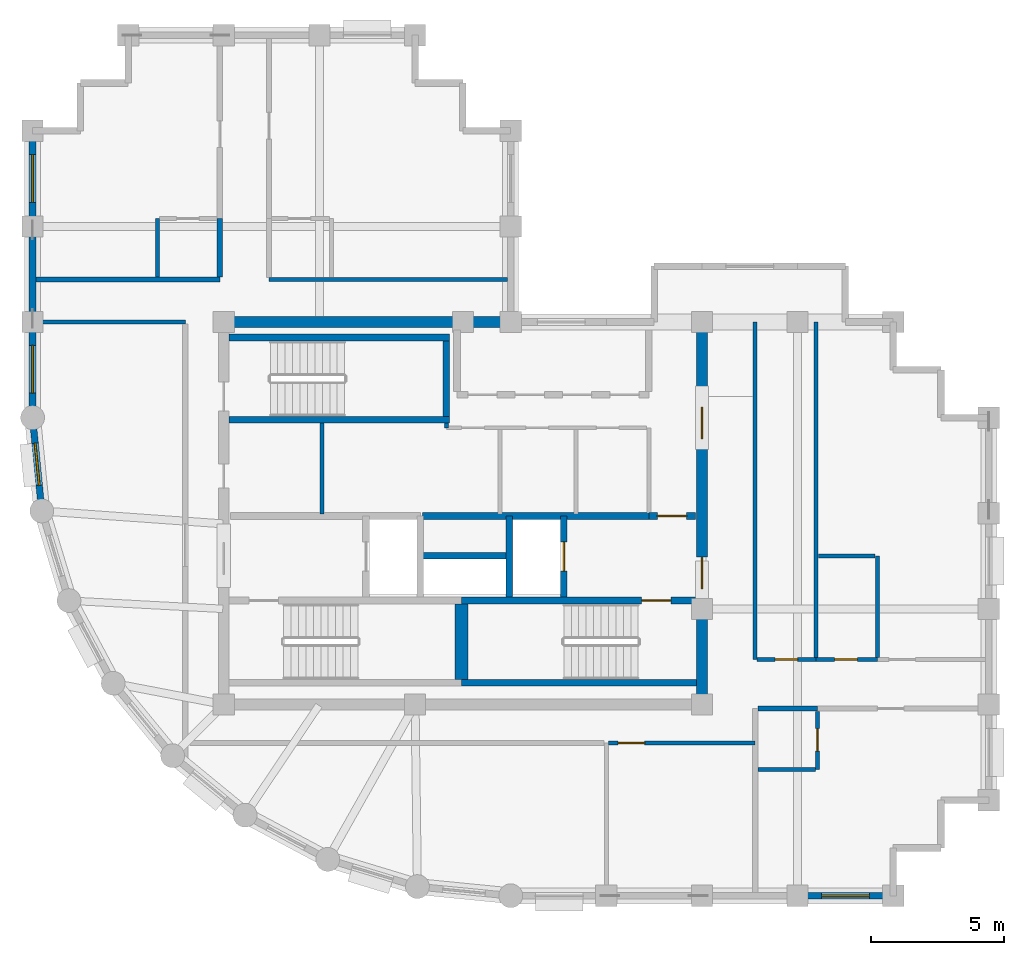
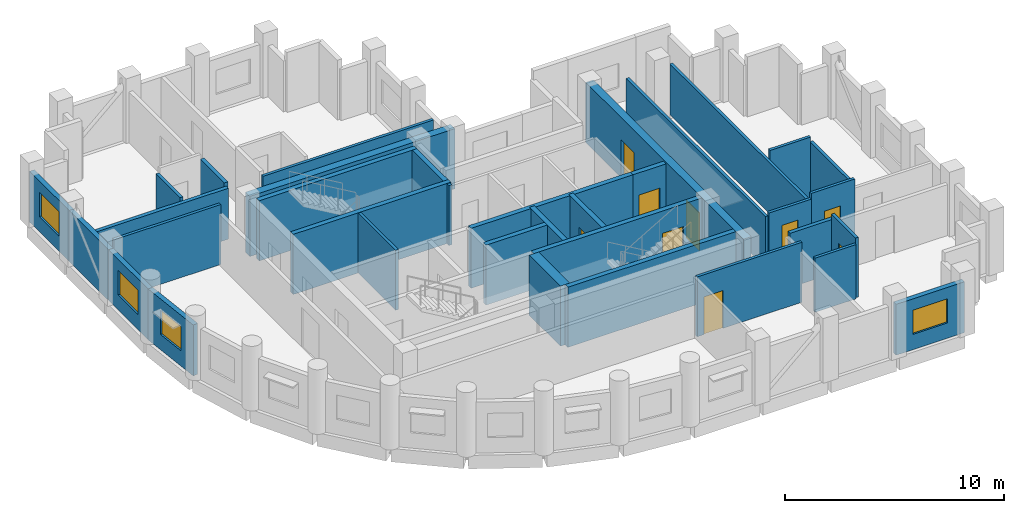
# One storey, part 3 of 7: 35 walls, 9 doors, 4 windows, 13 openings.
"""IFC4 building model written with IfcOpenShell, lengths in metres."""

from ifc_helpers import new_model, si_unit, direction, frame, frame_2d, origin, place, context, subcontext, project, spatial, rectangle, extrude, material, layer, layer_set, type_object, element, fill, save


model = new_model("IFC4")

# Units and contexts
model_context = context("Model", 3, precision=1e-05, world=origin(), true_north=direction((0.0, 1.0)))
body_context = subcontext(model_context, "Body", "Model", "MODEL_VIEW")
ifc_project = project(units=[si_unit("LENGTHUNIT", "METRE"), si_unit("AREAUNIT", "SQUARE_METRE"), si_unit("VOLUMEUNIT", "CUBIC_METRE"), si_unit("PLANEANGLEUNIT", "RADIAN"), si_unit("MASSUNIT", "GRAM", prefix="KILO")], contexts=[model_context])

# Site, building, storey
site_placement = place(None, origin())
site = spatial("IfcSite", under=ifc_project, at=site_placement, CompositionType="ELEMENT")
building_placement = place(site_placement, origin())
building = spatial("IfcBuilding", under=site, at=building_placement, Name="Solnavia Interchange Tower", CompositionType="ELEMENT")
storey_placement = place(building_placement, frame((0.0, 0.0, 288.199951171875)))
storey = spatial("IfcBuildingStorey", under=building, at=storey_placement, Name="L73", CompositionType="ELEMENT", Elevation=288.199951171875)

# Walls
ifc_material_1 = material(Name="Gypsum Acoustic Twin-Stud & Mineral Wool", Category="gypsum")
ifc_layer_1 = layer(ifc_material_1, 0.199951171875)
ifc_layer_set_1 = layer_set([ifc_layer_1], Name="Gypsum Acoustic Twin-Stud & Mineral Wool")
wall_type_1 = type_object("IfcWallType", Name="Wall-ApartmentParty-200", PredefinedType="PARTITIONING", material=ifc_layer_set_1)
wall_1_placement = place(storey_placement, frame((34.50390625, 10.64990234375, 0.0), z_axis=(0.0, 0.0, 1.0), x_axis=(1.0, 0.0, 0.0)))
element("IfcWall", 1, at=wall_1_placement, inside=storey, type_object=wall_type_1, Name="PTW-L73-13 Interior partition wall", PredefinedType="PARTITIONING", context=body_context, shape_type="SweptSolid", body=[
    extrude(rectangle(XDim=2.24609375, YDim=0.199951171875, at=frame_2d((1.123046875, 0.0))), origin(), (0.0, 0.0, 1.0), 3.02001953125),
])
wall_2_placement = place(storey_placement, frame((7.3291015625, 26.800048828125, 0.0), z_axis=(0.0, 0.0, 1.0), x_axis=(1.0, 0.0, 0.0)))
element("IfcWall", 2, at=wall_2_placement, inside=storey, type_object=wall_type_1, Name="PTW-L73-18 Interior partition wall", PredefinedType="PARTITIONING", context=body_context, shape_type="SweptSolid", body=[
    extrude(rectangle(XDim=6.9208984375, YDim=0.199951171875, at=frame_2d((3.46044921875, 0.0))), origin(), (0.0, 0.0, 1.0), 2.830078125),
])
wall_3_placement = place(storey_placement, frame((14.25, 26.904052734375, 0.0), z_axis=(0.0, 0.0, 1.0), x_axis=(0.0, 1.0, 0.0)))
element("IfcWall", 3, at=wall_3_placement, inside=storey, type_object=wall_type_1, Name="PTW-L73-19 Interior partition wall", PredefinedType="PARTITIONING", context=body_context, shape_type="SweptSolid", body=[
    extrude(rectangle(XDim=2.196044921875, YDim=0.199951171875, at=frame_2d((1.09814453125, 0.0))), origin(), (0.0, 0.0, 1.0), 3.030029296875),
])

# Wall, opening, window
ifc_material_2 = material(Name="Concrete C40/50", Category="concrete")
ifc_layer_2 = layer(ifc_material_2, 0.25)
ifc_layer_set_2 = layer_set([ifc_layer_2], Name="Concrete C40/50")
wall_type_2 = type_object("IfcWallType", Name="Wall-ExtSpandrel-250", PredefinedType="STANDARD", material=ifc_layer_set_2)
wall_4_placement = place(storey_placement, frame((39.60009765625, 3.60009765625, 0.0), z_axis=(0.0, 0.0, 1.0), x_axis=(-1.0, 0.0, 0.0)))
wall_4 = element("IfcWall", 4, at=wall_4_placement, inside=storey, type_object=wall_type_2, Name="EXW-L73-04 Exterior precast spandrel wall", PredefinedType="STANDARD", context=body_context, shape_type="SweptSolid", body=[
    extrude(rectangle(XDim=3.60009765625, YDim=0.25, at=frame_2d((1.800048828125, 0.0))), origin(), (0.0, 0.0, 1.0), 2.830078125),
])
opening_1_placement = place(wall_4_placement, frame((0.89990234375, 0.0, 0.85009765625)))
opening_1 = element("IfcOpeningElement", 5, at=opening_1_placement, cuts=wall_4, Name="Opening WIN-02", PredefinedType="OPENING", context=body_context, shape_type="SweptSolid", body=[
    extrude(rectangle(XDim=1.800048828125, YDim=1.35009765625, at=frame_2d((0.89990234375, 0.675048828125))), frame((0.0, 0.135009765625, 0.0), z_axis=(0.0, -1.0, 0.0), x_axis=(1.0, 0.0, 0.0)), (0.0, 0.0, 1.0), 0.27001953125),
])
ifc_material_3 = material(Name="Thermal-Break Aluminium & Low-E Glass", Category="aluminium")
window_type_1 = type_object("IfcWindowType", Name="Window-Ribbon-1800x1350", PartitioningType="SINGLE_PANEL", PredefinedType="WINDOW", material=ifc_material_3)
window_1_placement = place(opening_1_placement, origin())
window_1 = element("IfcWindow", 6, at=window_1_placement, inside=storey, type_object=window_type_1, Name="WIN-L73-04 Facade ribbon window", OverallHeight=1.35009765625, OverallWidth=1.800048828125, PartitioningType="SINGLE_PANEL", PredefinedType="WINDOW", context=body_context, shape_type="SweptSolid", body=[
    extrude(rectangle(XDim=1.800048828125, YDim=1.35009765625, at=frame_2d((0.89990234375, 0.675048828125))), frame((0.0, 0.030029296875, 0.0), z_axis=(0.0, -1.0, 0.0), x_axis=(1.0, 0.0, 0.0)), (0.0, 0.0, 1.0), 0.06005859375),
])
fill(opening_1, window_1)

wall_5_placement = place(storey_placement, frame((7.199951171875, 28.800048828125, 0.0), z_axis=(0.0, 0.0, 1.0), x_axis=(0.0, 1.0, 0.0)))
wall_5 = element("IfcWall", 7, at=wall_5_placement, inside=storey, type_object=wall_type_2, Name="EXW-L73-38 Exterior precast spandrel wall", PredefinedType="STANDARD", context=body_context, shape_type="SweptSolid", body=[
    extrude(rectangle(XDim=3.599853515625, YDim=0.25, at=frame_2d((1.7998046875, 0.0))), origin(), (0.0, 0.0, 1.0), 2.830078125),
])
opening_2_placement = place(wall_5_placement, frame((0.89990234375, 0.0, 0.85009765625)))
opening_2 = element("IfcOpeningElement", 8, at=opening_2_placement, cuts=wall_5, Name="Opening WIN-02", PredefinedType="OPENING", context=body_context, shape_type="SweptSolid", body=[
    extrude(rectangle(XDim=1.800048828125, YDim=1.35009765625, at=frame_2d((0.89990234375, 0.675048828125))), frame((0.0, 0.135009765625, 0.0), z_axis=(0.0, -1.0, 0.0), x_axis=(1.0, 0.0, 0.0)), (0.0, 0.0, 1.0), 0.27001953125),
])
window_2_placement = place(opening_2_placement, origin())
window_2 = element("IfcWindow", 9, at=window_2_placement, inside=storey, type_object=window_type_1, Name="WIN-L73-38 Facade ribbon window", OverallHeight=1.35009765625, OverallWidth=1.800048828125, PartitioningType="SINGLE_PANEL", PredefinedType="WINDOW", context=body_context, shape_type="SweptSolid", body=[
    extrude(rectangle(XDim=1.800048828125, YDim=1.35009765625, at=frame_2d((0.89990234375, 0.675048828125))), frame((0.0, 0.030029296875, 0.0), z_axis=(0.0, -1.0, 0.0), x_axis=(1.0, 0.0, 0.0)), (0.0, 0.0, 1.0), 0.06005859375),
])
fill(opening_2, window_2)

# Wall
wall_6_placement = place(storey_placement, frame((7.199951171875, 25.199951171875, 0.0), z_axis=(0.0, 0.0, 1.0), x_axis=(0.0, 1.0, 0.0)))
element("IfcWall", 10, at=wall_6_placement, inside=storey, type_object=wall_type_2, Name="EXW-L73-39 Exterior precast spandrel wall", PredefinedType="STANDARD", context=body_context, shape_type="SweptSolid", body=[
    extrude(rectangle(XDim=3.60009765625, YDim=0.25, at=frame_2d((1.800048828125, 0.0))), origin(), (0.0, 0.0, 1.0), 2.830078125),
])

# Wall, opening, window
wall_7_placement = place(storey_placement, frame((7.199951171875, 21.60009765625, 0.0), z_axis=(0.0, 0.0, 1.0), x_axis=(0.0, 1.0, 0.0)))
wall_7 = element("IfcWall", 11, at=wall_7_placement, inside=storey, type_object=wall_type_2, Name="EXW-L73-40 Exterior precast spandrel wall", PredefinedType="STANDARD", context=body_context, shape_type="SweptSolid", body=[
    extrude(rectangle(XDim=3.599853515625, YDim=0.25, at=frame_2d((1.7998046875, 0.0))), origin(), (0.0, 0.0, 1.0), 2.830078125),
])
opening_3_placement = place(wall_7_placement, frame((0.925048828125, 0.0, 0.85009765625)))
opening_3 = element("IfcOpeningElement", 12, at=opening_3_placement, cuts=wall_7, Name="Opening WIN-02", PredefinedType="OPENING", context=body_context, shape_type="SweptSolid", body=[
    extrude(rectangle(XDim=1.800048828125, YDim=1.35009765625, at=frame_2d((0.89990234375, 0.675048828125))), frame((0.0, 0.135009765625, 0.0), z_axis=(0.0, -1.0, 0.0), x_axis=(1.0, 0.0, 0.0)), (0.0, 0.0, 1.0), 0.27001953125),
])
window_3_placement = place(opening_3_placement, origin())
window_3 = element("IfcWindow", 13, at=window_3_placement, inside=storey, type_object=window_type_1, Name="WIN-L73-40 Facade ribbon window", OverallHeight=1.35009765625, OverallWidth=1.800048828125, PartitioningType="SINGLE_PANEL", PredefinedType="WINDOW", context=body_context, shape_type="SweptSolid", body=[
    extrude(rectangle(XDim=1.800048828125, YDim=1.35009765625, at=frame_2d((0.89990234375, 0.675048828125))), frame((0.0, 0.030029296875, 0.0), z_axis=(0.0, -1.0, 0.0), x_axis=(1.0, 0.0, 0.0)), (0.0, 0.0, 1.0), 0.06005859375),
])
fill(opening_3, window_3)

wall_8_placement = place(storey_placement, frame((7.5458984375, 18.087890625, 0.0), z_axis=(0.0, 0.0, 1.0), x_axis=(-0.09802417461, 0.995184033831, 0.0)))
wall_8 = element("IfcWall", 14, at=wall_8_placement, inside=storey, type_object=wall_type_2, Name="EXW-L73-41 Exterior precast spandrel wall", PredefinedType="STANDARD", context=body_context, shape_type="SweptSolid", body=[
    extrude(rectangle(XDim=3.529296875, YDim=0.25, at=frame_2d((1.7646484375, 0.0))), origin(), (0.0, 0.0, 1.0), 2.830078125),
])
opening_4_placement = place(wall_8_placement, frame((0.965087890625, 0.0, 0.85009765625)))
opening_4 = element("IfcOpeningElement", 15, at=opening_4_placement, cuts=wall_8, Name="Opening WIN-04", PredefinedType="OPENING", context=body_context, shape_type="SweptSolid", body=[
    extrude(rectangle(XDim=1.60009765625, YDim=1.35009765625, at=frame_2d((0.800048828125, 0.675048828125))), frame((0.0, 0.135009765625, 0.0), z_axis=(0.0, -1.0, 0.0), x_axis=(1.0, 0.0, 0.0)), (0.0, 0.0, 1.0), 0.27001953125),
])
window_type_2 = type_object("IfcWindowType", Name="Window-Drum-1600x1350", PartitioningType="SINGLE_PANEL", PredefinedType="WINDOW", material=ifc_material_3)
window_4_placement = place(opening_4_placement, origin())
window_4 = element("IfcWindow", 16, at=window_4_placement, inside=storey, type_object=window_type_2, Name="WIN-L73-41 Facade ribbon window", OverallHeight=1.35009765625, OverallWidth=1.60009765625, PartitioningType="SINGLE_PANEL", PredefinedType="WINDOW", context=body_context, shape_type="SweptSolid", body=[
    extrude(rectangle(XDim=1.60009765625, YDim=1.35009765625, at=frame_2d((0.800048828125, 0.675048828125))), frame((0.0, 0.030029296875, 0.0), z_axis=(0.0, -1.0, 0.0), x_axis=(1.0, 0.0, 0.0)), (0.0, 0.0, 1.0), 0.06005859375),
])
fill(opening_4, window_4)

# Walls
ifc_material_4 = material(Name="Gypsum Plasterboard & Steel Stud", Category="steel")
ifc_layer_3 = layer(ifc_material_4, 0.14990234375)
ifc_layer_set_3 = layer_set([ifc_layer_3], Name="Gypsum Plasterboard & Steel Stud")
wall_type_3 = type_object("IfcWallType", Name="Wall-Partition-150", PredefinedType="PARTITIONING", material=ifc_layer_set_3)
wall_9_placement = place(storey_placement, frame((22.77490234375, 21.219970703125, 0.0), z_axis=(0.0, 0.0, 1.0), x_axis=(0.0, 1.0, 0.0)))
element("IfcWall", 17, at=wall_9_placement, inside=storey, type_object=wall_type_3, Name="CSW-L73-ST-TIE Core shaft wall", PredefinedType="PARTITIONING", context=body_context, shape_type="SweptSolid", body=[
    extrude(rectangle(XDim=0.175048828125, YDim=0.14990234375, at=frame_2d((0.08740234375, 0.0))), origin(), (0.0, 0.0, 1.0), 3.3349609375),
])
wall_10_placement = place(storey_placement, frame((18.10009765625, 17.97998046875, 0.0), z_axis=(0.0, 0.0, 1.0), x_axis=(0.0, 1.0, 0.0)))
element("IfcWall", 18, at=wall_10_placement, inside=storey, type_object=wall_type_3, Name="CSW-L73-M1 Core shaft wall", PredefinedType="PARTITIONING", context=body_context, shape_type="SweptSolid", body=[
    extrude(rectangle(XDim=3.419921875, YDim=0.14990234375, at=frame_2d((1.7099609375, 0.0))), origin(), (0.0, 0.0, 1.0), 3.3349609375),
])
wall_11_placement = place(storey_placement, frame((7.3291015625, 25.199951171875, 0.0), z_axis=(0.0, 0.0, 1.0), x_axis=(1.0, 0.0, 0.0)))
element("IfcWall", 19, at=wall_11_placement, inside=storey, type_object=wall_type_3, Name="PTW-L73-07 Interior partition wall", PredefinedType="PARTITIONING", context=body_context, shape_type="SweptSolid", body=[
    extrude(rectangle(XDim=5.620849609375, YDim=0.14990234375, at=frame_2d((2.810546875, 0.0))), origin(), (0.0, 0.0, 1.0), 3.3349609375),
])

# Wall, opening, door
wall_12_placement = place(storey_placement, frame((28.87890625, 9.35009765625, 0.0), z_axis=(0.0, 0.0, 1.0), x_axis=(1.0, 0.0, 0.0)))
wall_12 = element("IfcWall", 20, at=wall_12_placement, inside=storey, type_object=wall_type_3, Name="PTW-L73-11 Interior partition wall", PredefinedType="PARTITIONING", context=body_context, shape_type="SweptSolid", body=[
    extrude(rectangle(XDim=5.52099609375, YDim=0.14990234375, at=frame_2d((2.760498046875, 0.0))), origin(), (0.0, 0.0, 1.0), 3.3349609375),
])
opening_5_placement = place(wall_12_placement, frame((0.360107421875, 0.0, 0.0)))
opening_5 = element("IfcOpeningElement", 21, at=opening_5_placement, cuts=wall_12, Name="Opening DR-07", PredefinedType="OPENING", context=body_context, shape_type="SweptSolid", body=[
    extrude(rectangle(XDim=1.0, YDim=2.10009765625, at=frame_2d((0.5, 1.050048828125))), frame((0.0, 0.0849609375, 0.0), z_axis=(0.0, -1.0, 0.0), x_axis=(1.0, 0.0, 0.0)), (0.0, 0.0, 1.0), 0.169921875),
])
ifc_material_5 = material(Name="Timber & Acoustic Glazed Office Door", Category="wood")
door_type_1 = type_object("IfcDoorType", Name="Door-Office-1000x2100", OperationType="SINGLE_SWING_RIGHT", PredefinedType="DOOR", material=ifc_material_5)
door_1_placement = place(opening_5_placement, origin())
door_1 = element("IfcDoor", 22, at=door_1_placement, inside=storey, type_object=door_type_1, Name="DR-L73-04 Interior room door", OperationType="SINGLE_SWING_LEFT", OverallHeight=2.10009765625, OverallWidth=1.0, PredefinedType="DOOR", context=body_context, shape_type="SweptSolid", body=[
    extrude(rectangle(XDim=1.0, YDim=2.10009765625, at=frame_2d((0.5, 1.050048828125))), frame((0.0, 0.02490234375, 0.0), z_axis=(0.0, -1.0, 0.0), x_axis=(1.0, 0.0, 0.0)), (0.0, 0.0, 1.0), 0.050048828125),
])
fill(opening_5, door_1)

# Walls
wall_13_placement = place(storey_placement, frame((16.10009765625, 26.800048828125, 0.0), z_axis=(0.0, 0.0, 1.0), x_axis=(1.0, 0.0, 0.0)))
element("IfcWall", 23, at=wall_13_placement, inside=storey, type_object=wall_type_3, Name="PTW-L73-23 Interior partition wall", PredefinedType="PARTITIONING", context=body_context, shape_type="SweptSolid", body=[
    extrude(rectangle(XDim=8.970947265625, YDim=0.14990234375, at=frame_2d((4.4853515625, 0.0))), origin(), (0.0, 0.0, 1.0), 2.830078125),
])
ifc_layer_4 = layer(ifc_material_2, 0.25)
ifc_layer_set_4 = layer_set([ifc_layer_4], Name="Concrete C40/50")
wall_type_4 = type_object("IfcWallType", Name="Wall-ShaftCore-250", PredefinedType="SHEAR", material=ifc_layer_set_4)
wall_14_placement = place(storey_placement, frame((23.35009765625, 11.625, 0.0), z_axis=(0.0, 0.0, 1.0), x_axis=(1.0, 0.0, 0.0)))
element("IfcWall", 24, at=wall_14_placement, inside=storey, type_object=wall_type_4, Name="SHW-L73-ST2S Core shear wall", PredefinedType="SHEAR", context=body_context, shape_type="SweptSolid", body=[
    extrude(rectangle(XDim=8.849853515625, YDim=0.25, at=frame_2d((4.4248046875, 0.0))), origin(), (0.0, 0.0, 1.0), 3.35009765625),
])

# Wall, opening, door
wall_15_placement = place(storey_placement, frame((23.35009765625, 14.715087890625, 0.0), z_axis=(0.0, 0.0, 1.0), x_axis=(1.0, 0.0, 0.0)))
wall_15 = element("IfcWall", 25, at=wall_15_placement, inside=storey, type_object=wall_type_4, Name="SHW-L73-ST2N Core shear wall", PredefinedType="SHEAR", context=body_context, shape_type="SweptSolid", body=[
    extrude(rectangle(XDim=8.849853515625, YDim=0.25, at=frame_2d((4.4248046875, 0.0))), origin(), (0.0, 0.0, 1.0), 3.35009765625),
])
opening_6_placement = place(wall_15_placement, frame((6.77490234375, 0.0, 0.0)))
opening_6 = element("IfcOpeningElement", 26, at=opening_6_placement, cuts=wall_15, Name="Opening DR-01", PredefinedType="OPENING", context=body_context, shape_type="SweptSolid", body=[
    extrude(rectangle(XDim=1.10009765625, YDim=2.10009765625, at=frame_2d((0.550048828125, 1.050048828125))), frame((0.0, 0.135009765625, 0.0), z_axis=(0.0, -1.0, 0.0), x_axis=(1.0, 0.0, 0.0)), (0.0, 0.0, 1.0), 0.27001953125),
])
ifc_material_6 = material(Name="Steel Fire-Rated Leaf & Frame", Category="steel")
door_type_2 = type_object("IfcDoorType", Name="Door-StairFire-1100x2100", OperationType="SINGLE_SWING_LEFT", PredefinedType="DOOR", material=ifc_material_6)
door_2_placement = place(opening_6_placement, origin())
door_2 = element("IfcDoor", 27, at=door_2_placement, inside=storey, type_object=door_type_2, Name="DR-L73-ST2 Core fire door", OperationType="SINGLE_SWING_LEFT", OverallHeight=2.10009765625, OverallWidth=1.10009765625, PredefinedType="DOOR", context=body_context, shape_type="SweptSolid", body=[
    extrude(rectangle(XDim=1.10009765625, YDim=2.10009765625, at=frame_2d((0.550048828125, 1.050048828125))), frame((0.0, 0.02490234375, 0.0), z_axis=(0.0, -1.0, 0.0), x_axis=(1.0, 0.0, 0.0)), (0.0, 0.0, 1.0), 0.050048828125),
])
fill(opening_6, door_2)

# Walls
for number, where, z_axis, x_axis, name in (
    (28, (14.60009765625, 21.52490234375, 0.0), (0.0, 0.0, 1.0), (1.0, 0.0, 0.0), "SHW-L73-ST3S Core shear wall"),
    (29, (14.60009765625, 24.614990234375, 0.0), (0.0, 0.0, 1.0), (1.0, 0.0, 0.0), "SHW-L73-ST3N Core shear wall"),
):
    element("IfcWall", number, at=place(storey_placement, frame(where, z_axis=z_axis, x_axis=x_axis)), inside=storey, type_object=wall_type_4, Name=name, PredefinedType="SHEAR", context=body_context, shape_type="SweptSolid", body=[
        extrude(rectangle(XDim=8.2998046875, YDim=0.25, at=frame_2d((4.14990234375, 0.0))), origin(), (0.0, 0.0, 1.0), 3.35009765625),
    ])
wall_16_placement = place(storey_placement, frame((22.77490234375, 21.64990234375, 0.0), z_axis=(0.0, 0.0, 1.0), x_axis=(0.0, 1.0, 0.0)))
element("IfcWall", 30, at=wall_16_placement, inside=storey, type_object=wall_type_4, Name="SHW-L73-ST3E Core shear wall", PredefinedType="SHEAR", context=body_context, shape_type="SweptSolid", body=[
    extrude(rectangle(XDim=2.840087890625, YDim=0.25, at=frame_2d((1.419921875, 0.0))), origin(), (0.0, 0.0, 1.0), 3.35009765625),
])
ifc_layer_5 = layer(ifc_material_2, 0.25)
ifc_layer_set_5 = layer_set([ifc_layer_5], Name="Concrete C40/50")
wall_type_5 = type_object("IfcWallType", Name="Wall-ShaftPart-250", PredefinedType="PARTITIONING", material=ifc_layer_set_5)
wall_17_placement = place(storey_placement, frame((21.8798828125, 17.89990234375, 0.0), z_axis=(0.0, 0.0, 1.0), x_axis=(1.0, 0.0, 0.0)))
element("IfcWall", 31, at=wall_17_placement, inside=storey, type_object=wall_type_5, Name="SHW-L73-FFLE-N1 Core shaft wall", PredefinedType="PARTITIONING", context=body_context, shape_type="SweptSolid", body=[
    extrude(rectangle(XDim=8.52001953125, YDim=0.25, at=frame_2d((4.260009765625, 0.0))), origin(), (0.0, 0.0, 1.0), 3.3349609375),
])

# Wall, opening, door
wall_18_placement = place(storey_placement, frame((30.39990234375, 17.89990234375, 0.0), z_axis=(0.0, 0.0, 1.0), x_axis=(1.0, 0.0, 0.0)))
wall_18 = element("IfcWall", 32, at=wall_18_placement, inside=storey, type_object=wall_type_5, Name="SHW-L73-FFLE-N2 Core shaft wall", PredefinedType="PARTITIONING", context=body_context, shape_type="SweptSolid", body=[
    extrude(rectangle(XDim=1.75, YDim=0.25, at=frame_2d((0.875, 0.0))), origin(), (0.0, 0.0, 1.0), 3.3349609375),
])
opening_7_placement = place(wall_18_placement, frame((0.320068359375, 0.0, 0.0)))
opening_7 = element("IfcOpeningElement", 33, at=opening_7_placement, cuts=wall_18, Name="Opening DR-01", PredefinedType="OPENING", context=body_context, shape_type="SweptSolid", body=[
    extrude(rectangle(XDim=1.10009765625, YDim=2.10009765625, at=frame_2d((0.550048828125, 1.050048828125))), frame((0.0, 0.135009765625, 0.0), z_axis=(0.0, -1.0, 0.0), x_axis=(1.0, 0.0, 0.0)), (0.0, 0.0, 1.0), 0.27001953125),
])
door_3_placement = place(opening_7_placement, origin())
door_3 = element("IfcDoor", 34, at=door_3_placement, inside=storey, type_object=door_type_2, Name="DR-L73-LLC Core fire door", OperationType="SINGLE_SWING_LEFT", OverallHeight=2.10009765625, OverallWidth=1.10009765625, PredefinedType="DOOR", context=body_context, shape_type="SweptSolid", body=[
    extrude(rectangle(XDim=1.10009765625, YDim=2.10009765625, at=frame_2d((0.550048828125, 1.050048828125))), frame((0.0, 0.02490234375, 0.0), z_axis=(0.0, -1.0, 0.0), x_axis=(1.0, 0.0, 0.0)), (0.0, 0.0, 1.0), 0.050048828125),
])
fill(opening_7, door_3)

# Wall
wall_19_placement = place(storey_placement, frame((25.14990234375, 14.840087890625, 0.0), z_axis=(0.0, 0.0, 1.0), x_axis=(0.0, 1.0, 0.0)))
element("IfcWall", 35, at=wall_19_placement, inside=storey, type_object=wall_type_5, Name="SHW-L73-FFL2-W Core shaft wall", PredefinedType="PARTITIONING", context=body_context, shape_type="SweptSolid", body=[
    extrude(rectangle(XDim=3.059814453125, YDim=0.25, at=frame_2d((1.52978515625, 0.0))), origin(), (0.0, 0.0, 1.0), 3.3349609375),
])

# Wall, opening, door
wall_20_placement = place(storey_placement, frame((27.199951171875, 14.840087890625, 0.0), z_axis=(0.0, 0.0, 1.0), x_axis=(0.0, 1.0, 0.0)))
wall_20 = element("IfcWall", 36, at=wall_20_placement, inside=storey, type_object=wall_type_5, Name="SHW-L73-FFL2-E Core shaft wall", PredefinedType="PARTITIONING", context=body_context, shape_type="SweptSolid", body=[
    extrude(rectangle(XDim=3.059814453125, YDim=0.25, at=frame_2d((1.52978515625, 0.0))), origin(), (0.0, 0.0, 1.0), 3.3349609375),
])
opening_8_placement = place(wall_20_placement, frame((0.97998046875, 0.0, 0.0)))
opening_8 = element("IfcOpeningElement", 37, at=opening_8_placement, cuts=wall_20, Name="Opening LD-01", PredefinedType="OPENING", context=body_context, shape_type="SweptSolid", body=[
    extrude(rectangle(XDim=1.10009765625, YDim=2.10009765625, at=frame_2d((0.550048828125, 1.050048828125))), frame((0.0, 0.135009765625, 0.0), z_axis=(0.0, -1.0, 0.0), x_axis=(1.0, 0.0, 0.0)), (0.0, 0.0, 1.0), 0.27001953125),
])
ifc_material_7 = material(Name="Brushed Stainless Steel Sliding Door", Category="steel")
door_type_3 = type_object("IfcDoorType", Name="Door-LiftLanding-1100x2100", OperationType="SLIDING_TO_LEFT", PredefinedType="DOOR", material=ifc_material_7)
door_4_placement = place(opening_8_placement, origin())
door_4 = element("IfcDoor", 38, at=door_4_placement, inside=storey, type_object=door_type_3, Name="LD-L73-FFL2 Lift landing sliding door", OperationType="SLIDING_TO_LEFT", OverallHeight=2.10009765625, OverallWidth=1.10009765625, PredefinedType="DOOR", context=body_context, shape_type="SweptSolid", body=[
    extrude(rectangle(XDim=1.10009765625, YDim=2.10009765625, at=frame_2d((0.550048828125, 1.050048828125))), frame((0.0, 0.02490234375, 0.0), z_axis=(0.0, -1.0, 0.0), x_axis=(1.0, 0.0, 0.0)), (0.0, 0.0, 1.0), 0.050048828125),
])
fill(opening_8, door_4)

# Walls
wall_21_placement = place(storey_placement, frame((21.800048828125, 16.39990234375, 0.0), z_axis=(0.0, 0.0, 1.0), x_axis=(1.0, 0.0, 0.0)))
element("IfcWall", 39, at=wall_21_placement, inside=storey, type_object=wall_type_5, Name="SHW-L73-MEP-N Core shaft wall", PredefinedType="PARTITIONING", context=body_context, shape_type="SweptSolid", body=[
    extrude(rectangle(XDim=3.349853515625, YDim=0.25, at=frame_2d((1.6748046875, 0.0))), origin(), (0.0, 0.0, 1.0), 3.3349609375),
])
ifc_material_8 = material(Name="Concrete C50/60", Category="concrete")
ifc_layer_6 = layer(ifc_material_8, 0.39990234375)
ifc_layer_set_6 = layer_set([ifc_layer_6], Name="Concrete C50/60")
wall_type_6 = type_object("IfcWallType", Name="Wall-ShearCore-400", PredefinedType="SHEAR", material=ifc_layer_set_6)
wall_22_placement = place(storey_placement, frame((14.39990234375, 25.199951171875, 0.0), z_axis=(0.0, 0.0, 1.0), x_axis=(1.0, 0.0, 0.0)))
element("IfcWall", 40, at=wall_22_placement, inside=storey, type_object=wall_type_6, Name="CRW-L73-N Core shear wall", PredefinedType="SHEAR", context=body_context, shape_type="SweptSolid", body=[
    extrude(rectangle(XDim=10.800048828125, YDim=0.39990234375, at=frame_2d((5.39990234375, 0.0))), origin(), (0.0, 0.0, 1.0), 3.35009765625),
])

# Wall, openings, doors
wall_23_placement = place(storey_placement, frame((32.39990234375, 10.800048828125, 0.0), z_axis=(0.0, 0.0, 1.0), x_axis=(0.0, 1.0, 0.0)))
wall_23 = element("IfcWall", 41, at=wall_23_placement, inside=storey, type_object=wall_type_6, Name="CRW-L73-E Core shear wall", PredefinedType="SHEAR", context=body_context, shape_type="SweptSolid", body=[
    extrude(rectangle(XDim=14.39990234375, YDim=0.39990234375, at=frame_2d((7.199951171875, 0.0))), origin(), (0.0, 0.0, 1.0), 3.35009765625),
])
opening_9_placement = place(wall_23_placement, frame((4.35009765625, 0.0, 0.0)))
opening_9 = element("IfcOpeningElement", 42, at=opening_9_placement, cuts=wall_23, Name="Opening DR-02", PredefinedType="OPENING", context=body_context, shape_type="SweptSolid", body=[
    extrude(rectangle(XDim=1.199951171875, YDim=2.10009765625, at=frame_2d((0.60009765625, 1.050048828125))), frame((0.0, 0.2099609375, 0.0), z_axis=(0.0, -1.0, 0.0), x_axis=(1.0, 0.0, 0.0)), (0.0, 0.0, 1.0), 0.419921875),
])
opening_10_placement = place(wall_23_placement, frame((10.0, 0.0, 0.0)))
opening_10 = element("IfcOpeningElement", 43, at=opening_10_placement, cuts=wall_23, Name="Opening DR-02", PredefinedType="OPENING", context=body_context, shape_type="SweptSolid", body=[
    extrude(rectangle(XDim=1.199951171875, YDim=2.10009765625, at=frame_2d((0.60009765625, 1.050048828125))), frame((0.0, 0.2099609375, 0.0), z_axis=(0.0, -1.0, 0.0), x_axis=(1.0, 0.0, 0.0)), (0.0, 0.0, 1.0), 0.419921875),
])
ifc_material_9 = material(Name="Steel Fire-Rated Vision-Panel Door", Category="steel")
door_type_4 = type_object("IfcDoorType", Name="Door-LobbyFire-1200x2100", OperationType="SINGLE_SWING_RIGHT", PredefinedType="DOOR", material=ifc_material_9)
door_5_placement = place(opening_9_placement, origin())
door_5 = element("IfcDoor", 44, at=door_5_placement, inside=storey, type_object=door_type_4, Name="DR-L73-FFL2E Core fire door", OperationType="SINGLE_SWING_LEFT", OverallHeight=2.10009765625, OverallWidth=1.199951171875, PredefinedType="DOOR", context=body_context, shape_type="SweptSolid", body=[
    extrude(rectangle(XDim=1.199951171875, YDim=2.10009765625, at=frame_2d((0.60009765625, 1.050048828125))), frame((0.0, 0.02490234375, 0.0), z_axis=(0.0, -1.0, 0.0), x_axis=(1.0, 0.0, 0.0)), (0.0, 0.0, 1.0), 0.050048828125),
])
fill(opening_9, door_5)
door_6_placement = place(opening_10_placement, origin())
door_6 = element("IfcDoor", 45, at=door_6_placement, inside=storey, type_object=door_type_4, Name="DR-L73-LLE Core fire door", OperationType="SINGLE_SWING_RIGHT", OverallHeight=2.10009765625, OverallWidth=1.199951171875, PredefinedType="DOOR", context=body_context, shape_type="SweptSolid", body=[
    extrude(rectangle(XDim=1.199951171875, YDim=2.10009765625, at=frame_2d((0.60009765625, 1.050048828125))), frame((0.0, 0.02490234375, 0.0), z_axis=(0.0, -1.0, 0.0), x_axis=(1.0, 0.0, 0.0)), (0.0, 0.0, 1.0), 0.050048828125),
])
fill(opening_10, door_6)

# Walls
ifc_material_10 = material(Name="Concrete C60/75", Category="concrete")
ifc_layer_7 = layer(ifc_material_10, 0.5)
ifc_layer_set_7 = layer_set([ifc_layer_7], Name="Concrete C60/75")
wall_type_7 = type_object("IfcWallType", Name="Wall-ShearCore-500", PredefinedType="SHEAR", material=ifc_layer_set_7)
wall_24_placement = place(storey_placement, frame((23.35009765625, 11.75, 0.0), z_axis=(0.0, 0.0, 1.0), x_axis=(0.0, 1.0, 0.0)))
element("IfcWall", 46, at=wall_24_placement, inside=storey, type_object=wall_type_7, Name="SHW-L73-ST12M Core shear wall", PredefinedType="SHEAR", context=body_context, shape_type="SweptSolid", body=[
    extrude(rectangle(XDim=2.840087890625, YDim=0.5, at=frame_2d((1.419921875, 0.0))), origin(), (0.0, 0.0, 1.0), 3.35009765625),
])
ifc_material_11 = material(Name="Moisture-Resistant Gypsum & Steel Stud", Category="steel")
ifc_layer_8 = layer(ifc_material_11, 0.14990234375)
ifc_layer_set_8 = layer_set([ifc_layer_8], Name="Moisture-Resistant Gypsum & Steel Stud")
wall_type_8 = type_object("IfcWallType", Name="Wall-WetRoom-150", PredefinedType="PARTITIONING", material=ifc_layer_set_8)
wall_25_placement = place(storey_placement, frame((34.39990234375, 12.5, 0.0), z_axis=(0.0, 0.0, 1.0), x_axis=(0.0, 1.0, 0.0)))
element("IfcWall", 47, at=wall_25_placement, inside=storey, type_object=wall_type_8, Name="PTW-L73-01 Interior partition wall", PredefinedType="PARTITIONING", context=body_context, shape_type="SweptSolid", body=[
    extrude(rectangle(XDim=12.699951171875, YDim=0.14990234375, at=frame_2d((6.35009765625, 0.0))), origin(), (0.0, 0.0, 1.0), 2.830078125),
])

# Wall, opening, door
wall_26_placement = place(storey_placement, frame((34.47900390625, 12.5, 0.0), z_axis=(0.0, 0.0, 1.0), x_axis=(1.0, 0.0, 0.0)))
wall_26 = element("IfcWall", 48, at=wall_26_placement, inside=storey, type_object=wall_type_8, Name="PTW-L73-02 Interior partition wall", PredefinedType="PARTITIONING", context=body_context, shape_type="SweptSolid", body=[
    extrude(rectangle(XDim=2.220947265625, YDim=0.14990234375, at=frame_2d((1.1103515625, 0.0))), origin(), (0.0, 0.0, 1.0), 3.02001953125),
])
opening_11_placement = place(wall_26_placement, frame((0.674072265625, 0.0, 0.0)))
opening_11 = element("IfcOpeningElement", 49, at=opening_11_placement, cuts=wall_26, Name="Opening DR-10", PredefinedType="OPENING", context=body_context, shape_type="SweptSolid", body=[
    extrude(rectangle(XDim=0.85009765625, YDim=2.10009765625, at=frame_2d((0.425048828125, 1.050048828125))), frame((0.0, 0.0849609375, 0.0), z_axis=(0.0, -1.0, 0.0), x_axis=(1.0, 0.0, 0.0)), (0.0, 0.0, 1.0), 0.169921875),
])
ifc_material_12 = material(Name="Moisture-Resistant Timber Door", Category="wood")
door_type_5 = type_object("IfcDoorType", Name="Door-Bathroom-850x2100", OperationType="SINGLE_SWING_RIGHT", PredefinedType="DOOR", material=ifc_material_12)
door_7_placement = place(opening_11_placement, origin())
door_7 = element("IfcDoor", 50, at=door_7_placement, inside=storey, type_object=door_type_5, Name="DR-L73-01 Interior room door", OperationType="SINGLE_SWING_LEFT", OverallHeight=2.10009765625, OverallWidth=0.85009765625, PredefinedType="DOOR", context=body_context, shape_type="SweptSolid", body=[
    extrude(rectangle(XDim=0.85009765625, YDim=2.10009765625, at=frame_2d((0.425048828125, 1.050048828125))), frame((0.0, 0.02490234375, 0.0), z_axis=(0.0, -1.0, 0.0), x_axis=(1.0, 0.0, 0.0)), (0.0, 0.0, 1.0), 0.050048828125),
])
fill(opening_11, door_7)

# Wall
wall_27_placement = place(storey_placement, frame((36.699951171875, 12.5791015625, 0.0), z_axis=(0.0, 0.0, 1.0), x_axis=(0.0, 1.0, 0.0)))
element("IfcWall", 51, at=wall_27_placement, inside=storey, type_object=wall_type_8, Name="PTW-L73-03 Interior partition wall", PredefinedType="PARTITIONING", context=body_context, shape_type="SweptSolid", body=[
    extrude(rectangle(XDim=12.620849609375, YDim=0.14990234375, at=frame_2d((6.310546875, 0.0))), origin(), (0.0, 0.0, 1.0), 2.830078125),
])

# Wall, opening, door
wall_28_placement = place(storey_placement, frame((36.699951171875, 12.5, 0.0), z_axis=(0.0, 0.0, 1.0), x_axis=(1.0, 0.0, 0.0)))
wall_28 = element("IfcWall", 52, at=wall_28_placement, inside=storey, type_object=wall_type_8, Name="PTW-L73-04 Interior partition wall", PredefinedType="PARTITIONING", context=body_context, shape_type="SweptSolid", body=[
    extrude(rectangle(XDim=2.300048828125, YDim=0.14990234375, at=frame_2d((1.14990234375, 0.0))), origin(), (0.0, 0.0, 1.0), 3.3349609375),
])
opening_12_placement = place(wall_28_placement, frame((0.697021484375, 0.0, 0.0)))
opening_12 = element("IfcOpeningElement", 53, at=opening_12_placement, cuts=wall_28, Name="Opening DR-10", PredefinedType="OPENING", context=body_context, shape_type="SweptSolid", body=[
    extrude(rectangle(XDim=0.85009765625, YDim=2.10009765625, at=frame_2d((0.425048828125, 1.050048828125))), frame((0.0, 0.0849609375, 0.0), z_axis=(0.0, -1.0, 0.0), x_axis=(1.0, 0.0, 0.0)), (0.0, 0.0, 1.0), 0.169921875),
])
door_8_placement = place(opening_12_placement, origin())
door_8 = element("IfcDoor", 54, at=door_8_placement, inside=storey, type_object=door_type_5, Name="DR-L73-02 Interior room door", OperationType="SINGLE_SWING_RIGHT", OverallHeight=2.10009765625, OverallWidth=0.85009765625, PredefinedType="DOOR", context=body_context, shape_type="SweptSolid", body=[
    extrude(rectangle(XDim=0.85009765625, YDim=2.10009765625, at=frame_2d((0.425048828125, 1.050048828125))), frame((0.0, 0.02490234375, 0.0), z_axis=(0.0, -1.0, 0.0), x_axis=(1.0, 0.0, 0.0)), (0.0, 0.0, 1.0), 0.050048828125),
])
fill(opening_12, door_8)

# Walls
wall_29_placement = place(storey_placement, frame((39.0, 12.5791015625, 0.0), z_axis=(0.0, 0.0, 1.0), x_axis=(0.0, 1.0, 0.0)))
element("IfcWall", 55, at=wall_29_placement, inside=storey, type_object=wall_type_8, Name="PTW-L73-05 Interior partition wall", PredefinedType="PARTITIONING", context=body_context, shape_type="SweptSolid", body=[
    extrude(rectangle(XDim=3.82080078125, YDim=0.14990234375, at=frame_2d((1.910400390625, 0.0))), origin(), (0.0, 0.0, 1.0), 3.030029296875),
])
wall_30_placement = place(storey_placement, frame((36.779052734375, 16.39990234375, 0.0), z_axis=(0.0, 0.0, 1.0), x_axis=(1.0, 0.0, 0.0)))
element("IfcWall", 56, at=wall_30_placement, inside=storey, type_object=wall_type_8, Name="PTW-L73-06 Interior partition wall", PredefinedType="PARTITIONING", context=body_context, shape_type="SweptSolid", body=[
    extrude(rectangle(XDim=2.141845703125, YDim=0.14990234375, at=frame_2d((1.07080078125, 0.0))), origin(), (0.0, 0.0, 1.0), 3.3349609375),
])

# Wall, opening, door
wall_31_placement = place(storey_placement, frame((36.75, 8.35009765625, 0.0), z_axis=(0.0, 0.0, 1.0), x_axis=(0.0, 1.0, 0.0)))
wall_31 = element("IfcWall", 57, at=wall_31_placement, inside=storey, type_object=wall_type_8, Name="PTW-L73-15 Interior partition wall", PredefinedType="PARTITIONING", context=body_context, shape_type="SweptSolid", body=[
    extrude(rectangle(XDim=2.19580078125, YDim=0.14990234375, at=frame_2d((1.097900390625, 0.0))), origin(), (0.0, 0.0, 1.0), 3.3349609375),
])
opening_13_placement = place(wall_31_placement, frame((0.697021484375, 0.0, 0.0)))
opening_13 = element("IfcOpeningElement", 58, at=opening_13_placement, cuts=wall_31, Name="Opening DR-10", PredefinedType="OPENING", context=body_context, shape_type="SweptSolid", body=[
    extrude(rectangle(XDim=0.85009765625, YDim=2.10009765625, at=frame_2d((0.425048828125, 1.050048828125))), frame((0.0, 0.0849609375, 0.0), z_axis=(0.0, -1.0, 0.0), x_axis=(1.0, 0.0, 0.0)), (0.0, 0.0, 1.0), 0.169921875),
])
door_9_placement = place(opening_13_placement, origin())
door_9 = element("IfcDoor", 59, at=door_9_placement, inside=storey, type_object=door_type_5, Name="DR-L73-06 Interior room door", OperationType="SINGLE_SWING_RIGHT", OverallHeight=2.10009765625, OverallWidth=0.85009765625, PredefinedType="DOOR", context=body_context, shape_type="SweptSolid", body=[
    extrude(rectangle(XDim=0.85009765625, YDim=2.10009765625, at=frame_2d((0.425048828125, 1.050048828125))), frame((0.0, 0.02490234375, 0.0), z_axis=(0.0, -1.0, 0.0), x_axis=(1.0, 0.0, 0.0)), (0.0, 0.0, 1.0), 0.050048828125),
])
fill(opening_13, door_9)

# Walls
wall_32_placement = place(storey_placement, frame((34.50390625, 8.35009765625, 0.0), z_axis=(0.0, 0.0, 1.0), x_axis=(1.0, 0.0, 0.0)))
element("IfcWall", 60, at=wall_32_placement, inside=storey, type_object=wall_type_8, Name="PTW-L73-16 Interior partition wall", PredefinedType="PARTITIONING", context=body_context, shape_type="SweptSolid", body=[
    extrude(rectangle(XDim=2.1669921875, YDim=0.14990234375, at=frame_2d((1.08349609375, 0.0))), origin(), (0.0, 0.0, 1.0), 3.02001953125),
])
wall_33_placement = place(storey_placement, frame((11.89990234375, 26.904052734375, 0.0), z_axis=(0.0, 0.0, 1.0), x_axis=(0.0, 1.0, 0.0)))
element("IfcWall", 61, at=wall_33_placement, inside=storey, type_object=wall_type_8, Name="PTW-L73-21 Interior partition wall", PredefinedType="PARTITIONING", context=body_context, shape_type="SweptSolid", body=[
    extrude(rectangle(XDim=2.196044921875, YDim=0.14990234375, at=frame_2d((1.09814453125, 0.0))), origin(), (0.0, 0.0, 1.0), 3.030029296875),
])

save(model, "model.ifc")
